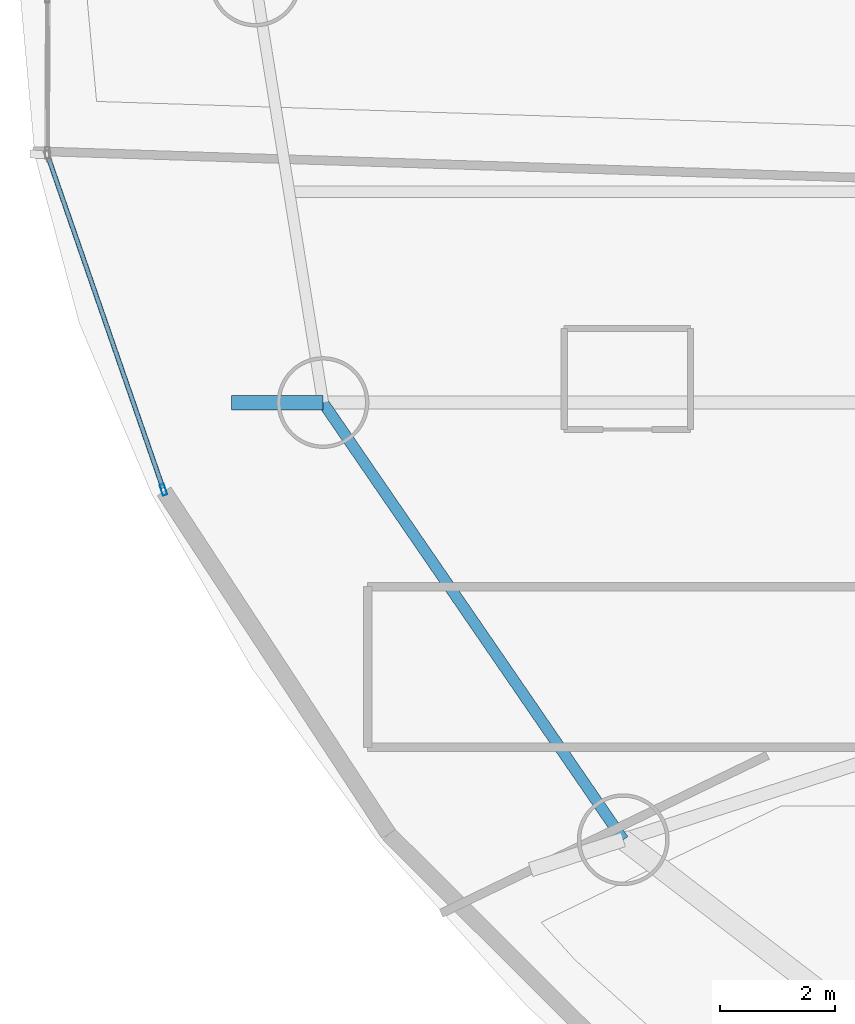
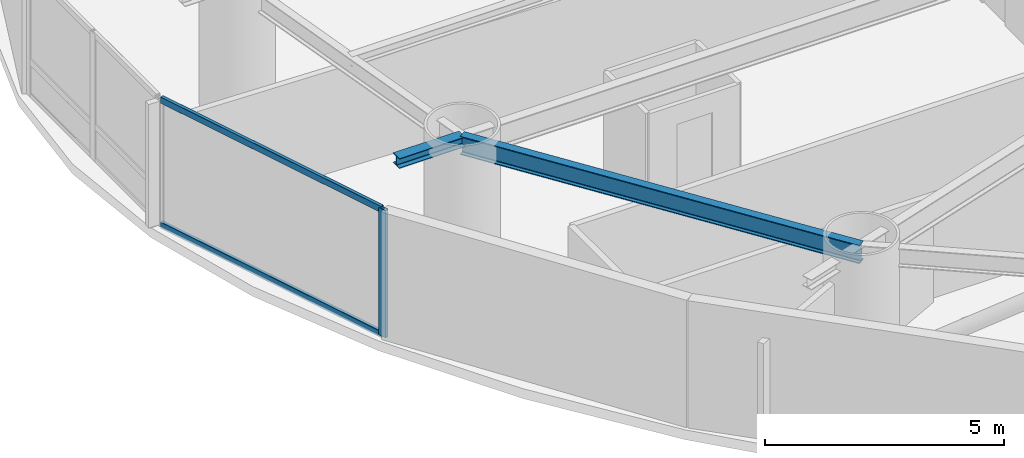
# One storey, part 4 of 27: 3 members, 2 beams, 1 element without a shape of its own.
"""IFC4 building model written with IfcOpenShell, lengths in metres."""

from ifc_helpers import new_model, si_unit, direction, frame, origin, origin_2d, place, context, subcontext, project, spatial, hollow_rectangle, i_section, extrude, material, layer, layer_set, material_profile, profile_set, type_object, element, aggregate, save


model = new_model("IFC4")

# Units and contexts
model_context = context("Model", 3, precision=1e-05, world=origin(), true_north=direction((0.0, 1.0)))
body_context = subcontext(model_context, "Body", "Model", "MODEL_VIEW")
ifc_project = project(units=[si_unit("LENGTHUNIT", "METRE"), si_unit("AREAUNIT", "SQUARE_METRE"), si_unit("VOLUMEUNIT", "CUBIC_METRE"), si_unit("PLANEANGLEUNIT", "RADIAN"), si_unit("MASSUNIT", "GRAM", prefix="KILO")], contexts=[model_context])

# Site, building, storey
site_placement = place(None, origin())
site = spatial("IfcSite", under=ifc_project, at=site_placement, CompositionType="ELEMENT")
building_placement = place(site_placement, origin())
building = spatial("IfcBuilding", under=site, at=building_placement, Name="Bramvorn Convention Spire", CompositionType="ELEMENT")
storey_placement = place(building_placement, frame((0.0, 0.0, 79.89990234375)))
storey = spatial("IfcBuildingStorey", under=building, at=storey_placement, Name="L18", CompositionType="ELEMENT", Elevation=79.89990234375)

# Beams
ifc_material_1 = material(Name="Steel CSA G40.21 Grade 350 (350W)", Category="steel")
ifc_material_profile_1 = material_profile(ifc_material_1, i_section(OverallWidth=0.25390625, OverallDepth=0.2529296875, WebThickness=0.008544921875, FlangeThickness=0.01416015625, FilletRadius=0.011962890625, at=origin_2d()))
ifc_profile_set_1 = profile_set([ifc_material_profile_1], Name="Steel CSA G40.21 Grade 350 (350W) - W250X73")
beam_type_1 = type_object("IfcBeamType", Name="BM-W250X73", PredefinedType="BEAM", material=ifc_profile_set_1)
beam_1_placement = place(storey_placement, frame((10.661376953125, 22.659912109375, 3.12353515625), z_axis=(-1.0, 0.0, 0.0), x_axis=(0.0, -1.0, 0.0)))
element("IfcBeam", 1, at=beam_1_placement, inside=storey, type_object=beam_type_1, Name="L18 slab-edge cantilever tip beam MC10", PredefinedType="BEAM", context=body_context, shape_type="SweptSolid", body=[
    extrude(i_section(OverallWidth=0.25390625, OverallDepth=0.2529296875, WebThickness=0.008544921875, FlangeThickness=0.01416015625, FilletRadius=0.011962890625, at=origin_2d()), origin(), (0.0, 0.0, 1.0), 1.5908203125),
])
ifc_material_profile_2 = material_profile(ifc_material_1, i_section(OverallWidth=0.194091796875, OverallDepth=0.468994140625, WebThickness=0.0126953125, FlangeThickness=0.0205078125, FilletRadius=0.01806640625, at=origin_2d()))
ifc_profile_set_2 = profile_set([ifc_material_profile_2], Name="Steel CSA G40.21 Grade 350 (350W) - W460X106")
beam_type_2 = type_object("IfcBeamType", Name="BM-W460X106", PredefinedType="SPANDREL", material=ifc_profile_set_2)
beam_2_placement = place(storey_placement, frame((10.661376953125, 22.659912109375, 3.015625), z_axis=(0.566129730789, -0.824316157743, 0.0), x_axis=(0.824316157743, 0.566129730789, 0.0)))
element("IfcBeam", 2, at=beam_2_placement, inside=storey, type_object=beam_type_2, Name="L18 mega-column ring beam 10", PredefinedType="SPANDREL", context=body_context, shape_type="SweptSolid", body=[
    extrude(i_section(OverallWidth=0.194091796875, OverallDepth=0.468994140625, WebThickness=0.0126953125, FlangeThickness=0.0205078125, FilletRadius=0.01806640625, at=origin_2d()), origin(), (0.0, 0.0, 1.0), 9.244140625),
])

# Curtain wall, members
ifc_material_2 = material(Name="Anodised Bronze Unitised Curtain Wall", Category="aluminium")
ifc_layer = layer(ifc_material_2, 0.179931640625)
ifc_layer_set = layer_set([ifc_layer], Name="Anodised Bronze Unitised Curtain Wall - CW-HTL-FRIT")
curtain_wall_type = type_object("IfcCurtainWallType", Name="CW-HTL-FRIT", PredefinedType="USERDEFINED", material=ifc_layer_set)
curtain_wall_placement = place(storey_placement, origin())
curtain_wall = element("IfcCurtainWall", 3, at=curtain_wall_placement, inside=storey, type_object=curtain_wall_type, Name="L18 fritted glass curtain wall 14", ObjectType="UNITISED CURTAIN WALL", PredefinedType="USERDEFINED")
ifc_material_3 = material(Name="Anodised Bronze Aluminium 6063-T6", Category="aluminium")
ifc_material_profile_3 = material_profile(ifc_material_3, hollow_rectangle(XDim=0.080078125, YDim=0.199951171875, WallThickness=0.00390625, InnerFilletRadius=0.0009765625, OuterFilletRadius=0.00390625, at=origin_2d()))
ifc_profile_set_3 = profile_set([ifc_material_profile_3], Name="Anodised Bronze Aluminium 6063-T6 - CWM80X200")
member_type_1 = type_object("IfcMemberType", Name="CW-MUL-180", PredefinedType="MULLION", material=ifc_profile_set_3)
member_1_placement = place(storey_placement, frame((7.880859375, 21.140869140625, 0.0), z_axis=(0.0, 0.0, 1.0), x_axis=(-0.944830751517, -0.327558927504, 0.0)))
member_1 = element("IfcMember", 4, at=member_1_placement, type_object=member_type_1, Name="CW2 mullion 1", PredefinedType="MULLION", context=body_context, shape_type="SweptSolid", body=[
    extrude(hollow_rectangle(XDim=0.080078125, YDim=0.199951171875, WallThickness=0.00390625, InnerFilletRadius=0.0009765625, OuterFilletRadius=0.00390625, at=origin_2d()), origin(), (0.0, 0.0, 1.0), 3.25),
])
ifc_material_profile_4 = material_profile(ifc_material_3, hollow_rectangle(XDim=0.080078125, YDim=0.159912109375, WallThickness=0.00390625, InnerFilletRadius=0.0009765625, OuterFilletRadius=0.00390625, at=origin_2d()))
ifc_profile_set_4 = profile_set([ifc_material_profile_4], Name="Anodised Bronze Aluminium 6063-T6 - CWT80X160")
member_type_2 = type_object("IfcMemberType", Name="CW-TRN-150", PredefinedType="USERDEFINED", material=ifc_profile_set_4)
member_2_placement = place(storey_placement, frame((7.87109375, 21.169189453125, 0.030029296875), z_axis=(-0.327542738458, 0.944836363866, 0.0), x_axis=(-0.944836363866, -0.327542738458, 0.0)))
member_2 = element("IfcMember", 5, at=member_2_placement, type_object=member_type_2, Name="CW2 transom 1.1", ObjectType="TRANSOM", PredefinedType="USERDEFINED", context=body_context, shape_type="SweptSolid", body=[
    extrude(hollow_rectangle(XDim=0.080078125, YDim=0.159912109375, WallThickness=0.00390625, InnerFilletRadius=0.0009765625, OuterFilletRadius=0.00390625, at=origin_2d()), origin(), (0.0, 0.0, 1.0), 6.091796875),
])
member_3_placement = place(storey_placement, frame((7.87109375, 21.169189453125, 3.22021484375), z_axis=(-0.327542738458, 0.944836363866, 0.0), x_axis=(-0.944836363866, -0.327542738458, 0.0)))
member_3 = element("IfcMember", 6, at=member_3_placement, type_object=member_type_2, Name="CW2 transom 1.2", ObjectType="TRANSOM", PredefinedType="USERDEFINED", context=body_context, shape_type="SweptSolid", body=[
    extrude(hollow_rectangle(XDim=0.080078125, YDim=0.159912109375, WallThickness=0.00390625, InnerFilletRadius=0.0009765625, OuterFilletRadius=0.00390625, at=origin_2d()), origin(), (0.0, 0.0, 1.0), 6.091796875),
])
aggregate(curtain_wall, [member_1, member_2, member_3])

save(model, "model.ifc")
